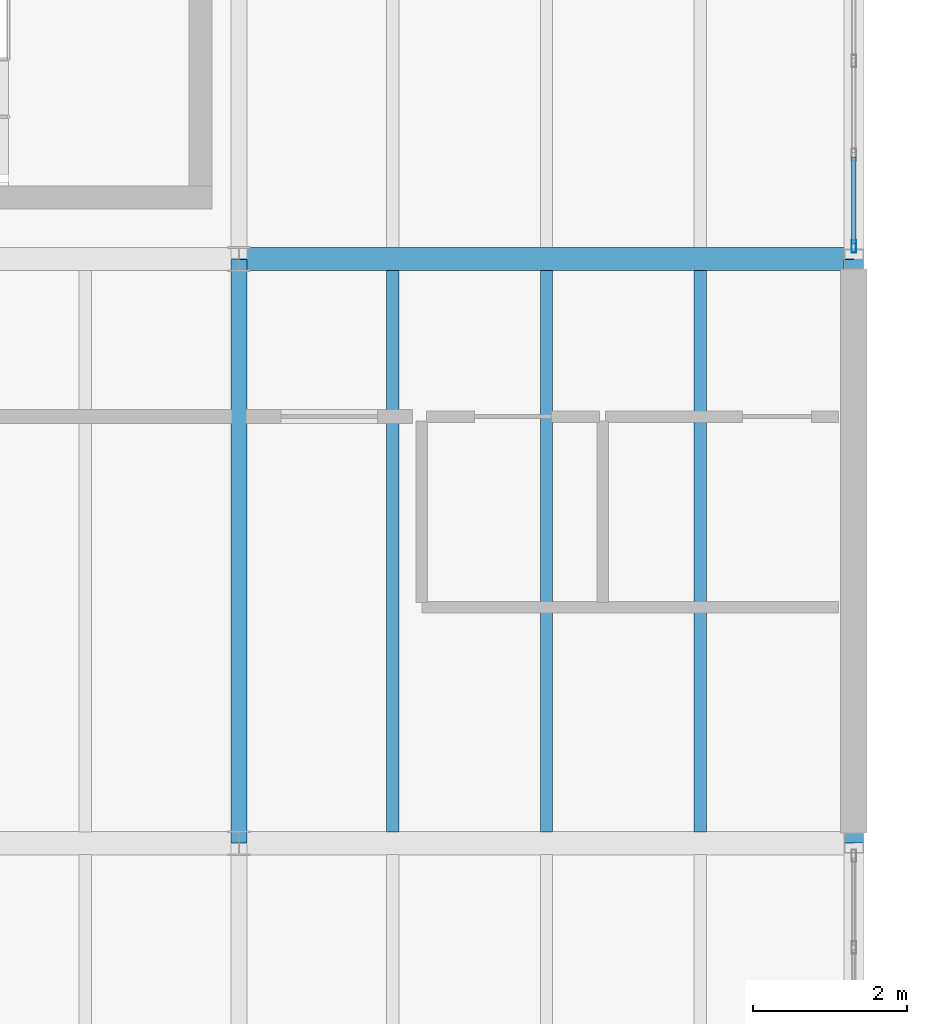
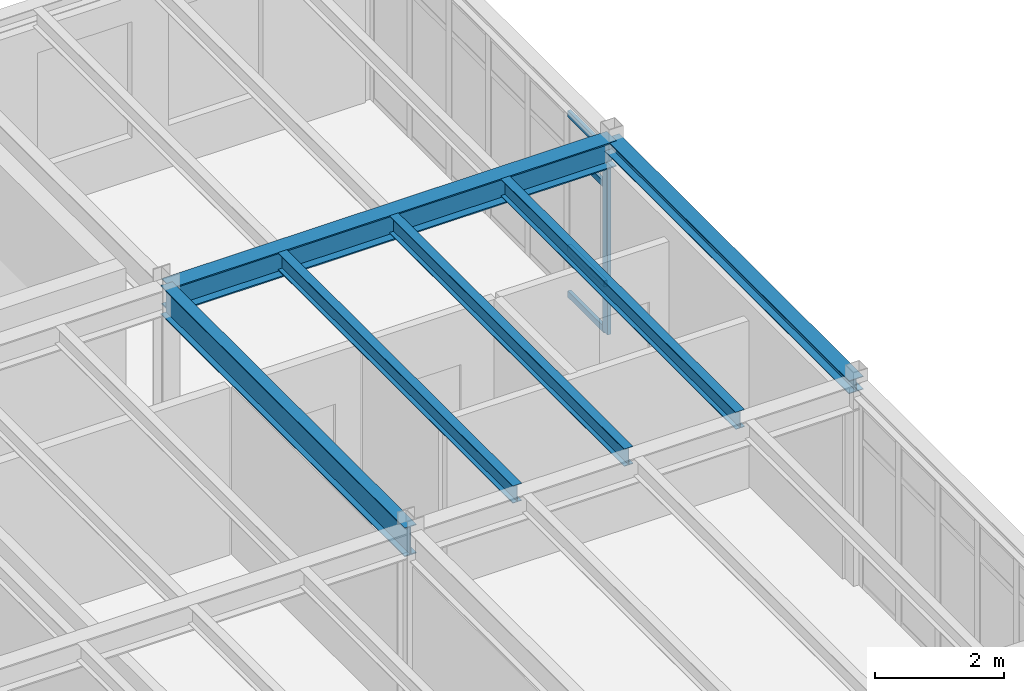
# One storey, part 121 of 189: 6 beams, 5 members, 1 element without a shape of its own.
"""IFC4 building model written with IfcOpenShell, lengths in metres."""

from ifc_helpers import new_model, si_unit, direction, frame, origin, origin_2d, place, context, subcontext, project, spatial, hollow_rectangle, i_section, extrude, material, layer, layer_set, material_profile, profile_set, type_object, element, aggregate, save


model = new_model("IFC4")

# Units and contexts
model_context = context("Model", 3, precision=1e-05, world=origin(), true_north=direction((0.0, 1.0)))
body_context = subcontext(model_context, "Body", "Model", "MODEL_VIEW")
ifc_project = project(units=[si_unit("LENGTHUNIT", "METRE"), si_unit("AREAUNIT", "SQUARE_METRE"), si_unit("VOLUMEUNIT", "CUBIC_METRE"), si_unit("PLANEANGLEUNIT", "RADIAN"), si_unit("MASSUNIT", "GRAM", prefix="KILO")], contexts=[model_context])

# Site, building, storey
site_placement = place(None, origin())
site = spatial("IfcSite", under=ifc_project, at=site_placement, CompositionType="ELEMENT")
building_placement = place(site_placement, origin())
building = spatial("IfcBuilding", under=site, at=building_placement, Name="Montecoro Central Library", CompositionType="ELEMENT")
storey_placement = place(building_placement, frame((0.0, 0.0, 9.179931640625)))
storey = spatial("IfcBuildingStorey", under=building, at=storey_placement, Name="L02", CompositionType="ELEMENT", Elevation=9.179931640625)

# Beams
ifc_material_1 = material(Name="Steel S355J2", Category="steel")
ifc_material_profile_1 = material_profile(ifc_material_1, i_section(OverallWidth=0.300048828125, OverallDepth=0.489990234375, WebThickness=0.011962890625, FlangeThickness=0.02294921875, at=origin_2d()), Name="HEA 500")
ifc_profile_set_1 = profile_set([ifc_material_profile_1], Name="Steel S355J2")
beam_type_1 = type_object("IfcBeamType", Name="BM-G-HEA500", PredefinedType="USERDEFINED", material=ifc_profile_set_1)
beam_1_placement = place(storey_placement, frame((165.0048828125, 35.39990234375, 3.580078125), z_axis=(1.0, 0.0, 0.0), x_axis=(0.0, 1.0, 0.0)))
element("IfcBeam", 1, at=beam_1_placement, inside=storey, type_object=beam_type_1, Name="V6-L02-BX-2122-E", ObjectType="GIRDER", PredefinedType="USERDEFINED", context=body_context, shape_type="SweptSolid", body=[
    extrude(i_section(OverallWidth=0.300048828125, OverallDepth=0.489990234375, WebThickness=0.011962890625, FlangeThickness=0.02294921875, at=origin_2d()), origin(), (0.0, 0.0, 1.0), 7.990234375),
])
ifc_material_profile_2 = material_profile(ifc_material_1, i_section(OverallWidth=0.2099609375, OverallDepth=0.550048828125, WebThickness=0.010986328125, FlangeThickness=0.01708984375, at=origin_2d()), Name="IPE 550")
ifc_profile_set_2 = profile_set([ifc_material_profile_2], Name="Steel S355J2")
beam_type_2 = type_object("IfcBeamType", Name="BM-G-IPE550", PredefinedType="USERDEFINED", material=ifc_profile_set_2)
beam_2_placement = place(storey_placement, frame((165.0, 27.804931640625, 3.550048828125), z_axis=(0.0, 1.0, 0.0), x_axis=(-1.0, 0.0, 0.0)))
element("IfcBeam", 2, at=beam_2_placement, inside=storey, type_object=beam_type_2, Name="V6-L02-BY-21-DE", ObjectType="GIRDER", PredefinedType="USERDEFINED", context=body_context, shape_type="SweptSolid", body=[
    extrude(i_section(OverallWidth=0.2099609375, OverallDepth=0.550048828125, WebThickness=0.010986328125, FlangeThickness=0.01708984375, at=origin_2d()), origin(), (0.0, 0.0, 1.0), 7.590087890625),
])
ifc_material_2 = material(Name="Steel S355", Category="steel")
ifc_material_profile_3 = material_profile(ifc_material_2, i_section(OverallWidth=0.159912109375, OverallDepth=0.330078125, WebThickness=0.007568359375, FlangeThickness=0.011474609375, at=origin_2d()), Name="IPE 330")
ifc_profile_set_3 = profile_set([ifc_material_profile_3], Name="Steel S355")
beam_type_3 = type_object("IfcBeamType", Name="BM-J-IPE330", PredefinedType="JOIST", material=ifc_profile_set_3)
for number, where, z_axis, x_axis, name in (
    (3, (167.0, 27.947021484375, 3.66015625), (0.0, 1.0, 0.0), (-1.0, 0.0, 0.0), "V6-L02-JS-2122-DE-1"),
    (4, (169.0, 27.947021484375, 3.66015625), (0.0, 1.0, 0.0), (-1.0, 0.0, 0.0), "V6-L02-JS-2122-DE-2"),
    (5, (171.0, 27.947021484375, 3.66015625), (0.0, 1.0, 0.0), (-1.0, 0.0, 0.0), "V6-L02-JS-2122-DE-3"),
):
    element("IfcBeam", number, at=place(storey_placement, frame(where, z_axis=z_axis, x_axis=x_axis)), inside=storey, type_object=beam_type_3, Name=name, PredefinedType="JOIST", context=body_context, shape_type="SweptSolid", body=[
        extrude(i_section(OverallWidth=0.159912109375, OverallDepth=0.330078125, WebThickness=0.007568359375, FlangeThickness=0.011474609375, at=origin_2d()), origin(), (0.0, 0.0, 1.0), 7.305908203125),
    ])
ifc_material_profile_4 = material_profile(ifc_material_2, i_section(OverallWidth=0.260009765625, OverallDepth=0.25, WebThickness=0.007568359375, FlangeThickness=0.012451171875, at=origin_2d()), Name="HEA 260")
ifc_profile_set_4 = profile_set([ifc_material_profile_4], Name="Steel S355")
beam_type_4 = type_object("IfcBeamType", Name="BM-SP-HEA260", PredefinedType="SPANDREL", material=ifc_profile_set_4)
beam_3_placement = place(storey_placement, frame((173.0, 27.804931640625, 3.699951171875), z_axis=(0.0, 1.0, 0.0), x_axis=(-1.0, 0.0, 0.0)))
element("IfcBeam", 6, at=beam_3_placement, inside=storey, type_object=beam_type_4, Name="V6-L02-BY-22-DE", PredefinedType="SPANDREL", context=body_context, shape_type="SweptSolid", body=[
    extrude(i_section(OverallWidth=0.260009765625, OverallDepth=0.25, WebThickness=0.007568359375, FlangeThickness=0.012451171875, at=origin_2d()), origin(), (0.0, 0.0, 1.0), 7.590087890625),
])

# Curtain wall, members
ifc_material_3 = material(Name="Bronze-anodised aluminium and low-E glazing", Category="aluminium")
ifc_layer = layer(ifc_material_3, 0.159912109375)
ifc_layer_set = layer_set([ifc_layer], Name="Bronze-anodised aluminium and low-E glazing")
curtain_wall_type = type_object("IfcCurtainWallType", Name="CWT-065", PredefinedType="NOTDEFINED", material=ifc_layer_set)
curtain_wall_placement = place(storey_placement, origin())
curtain_wall = element("IfcCurtainWall", 7, at=curtain_wall_placement, inside=storey, type_object=curtain_wall_type, Name="V6-L02-CW-E4", PredefinedType="NOTDEFINED")
ifc_material_4 = material(Name="Bronze-anodised aluminium", Category="aluminium")
ifc_material_profile_5 = material_profile(ifc_material_4, hollow_rectangle(XDim=0.06005859375, YDim=0.159912109375, WallThickness=0.00390625, at=origin_2d()), Name="CWM 160x60x4.0")
ifc_profile_set_5 = profile_set([ifc_material_profile_5], Name="Bronze-anodised aluminium")
member_type_1 = type_object("IfcMemberType", Name="CWM-BRZ-60", PredefinedType="MULLION", material=ifc_profile_set_5)
member_1_placement = place(storey_placement, frame((173.0, 35.56298828125, 0.0), z_axis=(0.0, 0.0, 1.0), x_axis=(-1.0, 0.0, 0.0)))
member_1 = element("IfcMember", 8, at=member_1_placement, type_object=member_type_1, Name="CW-065 mullion 1", PredefinedType="MULLION", context=body_context, shape_type="SweptSolid", body=[
    extrude(hollow_rectangle(XDim=0.06005859375, YDim=0.159912109375, WallThickness=0.00390625, at=origin_2d()), origin(), (0.0, 0.0, 1.0), 3.47998046875),
])
ifc_material_profile_6 = material_profile(ifc_material_4, hollow_rectangle(XDim=0.06005859375, YDim=0.1201171875, WallThickness=0.00390625, at=origin_2d()), Name="CWT 120x60x4.0")
ifc_profile_set_6 = profile_set([ifc_material_profile_6], Name="Bronze-anodised aluminium")
member_type_2 = type_object("IfcMemberType", Name="CWT-BRZ-60", PredefinedType="USERDEFINED", material=ifc_profile_set_6)
member_2_placement = place(storey_placement, frame((173.0, 35.593017578125, 0.030029296875), z_axis=(0.0, 1.0, 0.0), x_axis=(-1.0, 0.0, 0.0)))
member_2 = element("IfcMember", 9, at=member_2_placement, type_object=member_type_2, Name="CW-065 transom 1.1", ObjectType="TRANSOM", PredefinedType="USERDEFINED", context=body_context, shape_type="SweptSolid", body=[
    extrude(hollow_rectangle(XDim=0.06005859375, YDim=0.1201171875, WallThickness=0.00390625, at=origin_2d()), origin(), (0.0, 0.0, 1.0), 1.13232421875),
])
member_3_placement = place(storey_placement, frame((173.0, 35.593017578125, 0.900146484375), z_axis=(0.0, 1.0, 0.0), x_axis=(-1.0, 0.0, 0.0)))
member_3 = element("IfcMember", 10, at=member_3_placement, type_object=member_type_2, Name="CW-065 transom 1.2", ObjectType="TRANSOM", PredefinedType="USERDEFINED", context=body_context, shape_type="SweptSolid", body=[
    extrude(hollow_rectangle(XDim=0.06005859375, YDim=0.1201171875, WallThickness=0.00390625, at=origin_2d()), origin(), (0.0, 0.0, 1.0), 1.13232421875),
])
member_4_placement = place(storey_placement, frame((173.0, 35.593017578125, 2.780029296875), z_axis=(0.0, 1.0, 0.0), x_axis=(-1.0, 0.0, 0.0)))
member_4 = element("IfcMember", 11, at=member_4_placement, type_object=member_type_2, Name="CW-065 transom 1.3", ObjectType="TRANSOM", PredefinedType="USERDEFINED", context=body_context, shape_type="SweptSolid", body=[
    extrude(hollow_rectangle(XDim=0.06005859375, YDim=0.1201171875, WallThickness=0.00390625, at=origin_2d()), origin(), (0.0, 0.0, 1.0), 1.13232421875),
])
member_5_placement = place(storey_placement, frame((173.0, 35.593017578125, 3.449951171875), z_axis=(0.0, 1.0, 0.0), x_axis=(-1.0, 0.0, 0.0)))
member_5 = element("IfcMember", 12, at=member_5_placement, type_object=member_type_2, Name="CW-065 transom 1.4", ObjectType="TRANSOM", PredefinedType="USERDEFINED", context=body_context, shape_type="SweptSolid", body=[
    extrude(hollow_rectangle(XDim=0.06005859375, YDim=0.1201171875, WallThickness=0.00390625, at=origin_2d()), origin(), (0.0, 0.0, 1.0), 1.13232421875),
])
aggregate(curtain_wall, [member_1, member_2, member_3, member_4, member_5])

save(model, "model.ifc")
